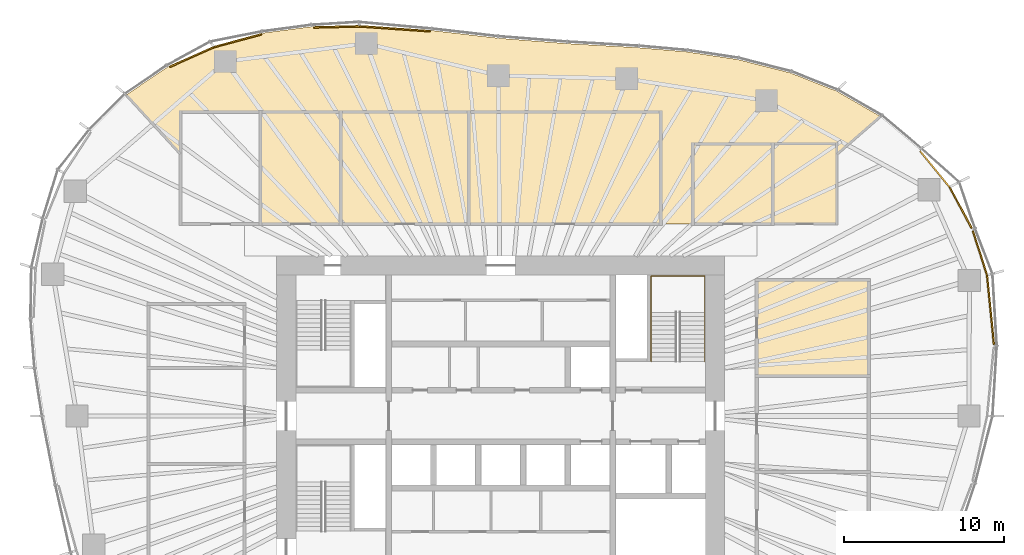
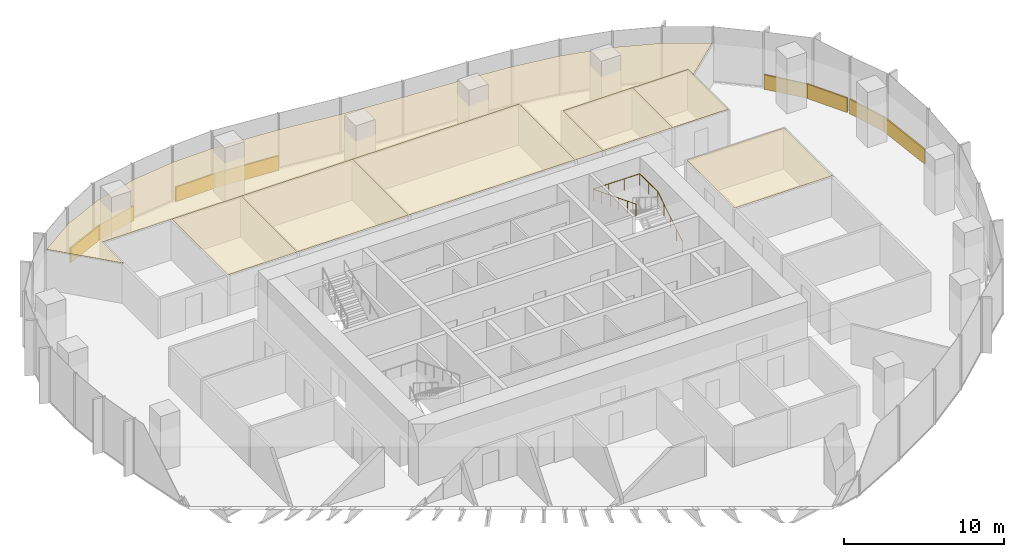
# One storey, part 18 of 18: 15 coverings, 1 railing.
"""IFC4 building model written with IfcOpenShell, lengths in metres."""

from ifc_helpers import new_model, si_unit, direction, frame, origin, origin_2d, place, context, subcontext, project, spatial, polyline, rectangle, circle, outline, extrude, material, layer, layer_set, type_object, element, save


model = new_model("IFC4")

# Units and contexts
model_context = context("Model", 3, precision=1e-05, world=origin(), true_north=direction((0.0, 1.0)))
body_context = subcontext(model_context, "Body", "Model", "MODEL_VIEW")
ifc_project = project(units=[si_unit("LENGTHUNIT", "METRE"), si_unit("AREAUNIT", "SQUARE_METRE"), si_unit("VOLUMEUNIT", "CUBIC_METRE"), si_unit("PLANEANGLEUNIT", "RADIAN"), si_unit("MASSUNIT", "GRAM", prefix="KILO")], contexts=[model_context])

# Site, building, storey
site_placement = place(None, origin())
site = spatial("IfcSite", under=ifc_project, at=site_placement, CompositionType="ELEMENT")
building_placement = place(site_placement, origin())
building = spatial("IfcBuilding", under=site, at=building_placement, Name="Ghaith Harvest Tower", CompositionType="ELEMENT")
storey_placement = place(building_placement, frame((0.0, 0.0, 180.60009765625)))
storey = spatial("IfcBuildingStorey", under=building, at=storey_placement, Name="L39", CompositionType="ELEMENT", Elevation=180.60009765625)

# Coverings
ifc_material_1 = material(Name="Mineral fibre ceiling tile", Category="gypsum")
ifc_layer_1 = layer(ifc_material_1, 0.02001953125)
ifc_layer_set_1 = layer_set([ifc_layer_1], Name="CEILING C1")
covering_type_1 = type_object("IfcCoveringType", Name="CEILING C1", PredefinedType="CEILING", material=ifc_layer_set_1)
covering_1_placement = place(storey_placement, frame((0.0, 0.0, 3.0)))
element("IfcCovering", 1, at=covering_1_placement, inside=storey, type_object=covering_type_1, Name="Ceiling L39-02", PredefinedType="CEILING", context=body_context, shape_type="SweptSolid", body=[
    extrude(outline(polyline([(-15.0, 12.0), (-10.0, 12.0), (-10.0, 19.0), (-15.0, 19.0), (-15.0, 12.0)])), origin(), (0.0, 0.0, 1.0), 0.02001953125),
])
covering_2_placement = place(storey_placement, frame((0.0, 0.0, 3.0)))
element("IfcCovering", 2, at=covering_2_placement, inside=storey, type_object=covering_type_1, Name="Ceiling L39-03", PredefinedType="CEILING", context=body_context, shape_type="SweptSolid", body=[
    extrude(outline(polyline([(-10.0, 12.0), (-2.0, 12.0), (-2.0, 19.0), (-10.0, 19.0), (-10.0, 12.0)])), origin(), (0.0, 0.0, 1.0), 0.02001953125),
])
covering_3_placement = place(storey_placement, frame((0.0, 0.0, 3.0)))
element("IfcCovering", 3, at=covering_3_placement, inside=storey, type_object=covering_type_1, Name="Ceiling L39-04", PredefinedType="CEILING", context=body_context, shape_type="SweptSolid", body=[
    extrude(outline(polyline([(-2.0, 12.0), (10.0, 12.0), (10.0, 19.0), (-2.0, 19.0), (-2.0, 12.0)])), origin(), (0.0, 0.0, 1.0), 0.02001953125),
])
covering_4_placement = place(storey_placement, frame((0.0, 0.0, 3.0)))
element("IfcCovering", 4, at=covering_4_placement, inside=storey, type_object=covering_type_1, Name="Ceiling L39-07", PredefinedType="CEILING", context=body_context, shape_type="SweptSolid", body=[
    extrude(outline(polyline([(16.0, 2.5), (23.0, 2.5), (23.0, 8.5), (16.0, 8.5), (16.0, 2.5)])), origin(), (0.0, 0.0, 1.0), 0.02001953125),
])
covering_5_placement = place(storey_placement, frame((0.0, 0.0, 3.0)))
element("IfcCovering", 5, at=covering_5_placement, inside=storey, type_object=covering_type_1, Name="Ceiling L39-17", PredefinedType="CEILING", context=body_context, shape_type="SweptSolid", body=[
    extrude(outline(polyline([(12.0, 12.0), (17.0, 12.0), (17.0, 17.0), (12.0, 17.0), (12.0, 12.0)])), origin(), (0.0, 0.0, 1.0), 0.02001953125),
])
covering_6_placement = place(storey_placement, frame((0.0, 0.0, 3.0)))
element("IfcCovering", 6, at=covering_6_placement, inside=storey, type_object=covering_type_1, Name="Ceiling L39-18", PredefinedType="CEILING", context=body_context, shape_type="SweptSolid", body=[
    extrude(outline(polyline([(17.0, 12.0), (21.0, 12.0), (21.0, 17.0), (17.0, 17.0), (17.0, 12.0)])), origin(), (0.0, 0.0, 1.0), 0.02001953125),
])
covering_7_placement = place(storey_placement, frame((0.0, 0.0, 3.0)))
element("IfcCovering", 7, at=covering_7_placement, inside=storey, type_object=covering_type_1, Name="Ceiling L39-N1", PredefinedType="CEILING", context=body_context, shape_type="SweptSolid", body=[
    extrude(outline(polyline([(-20.79248046875, 21.82470703125), (-17.938232421875, 23.097412109375), (-14.860595703125, 23.927978515625), (-11.788818359375, 24.331787109375), (-8.814208984375, 24.404541015625), (-4.302001953125, 24.089111328125), (-0.16162109375, 23.609619140625), (4.125732421875, 23.272705078125), (8.604736328125, 23.017333984375), (11.617919921875, 22.757080078125), (14.79833984375, 22.27978515625), (18.0849609375, 21.4462890625), (20.97998046875, 20.3056640625), (23.7275390625, 18.718017578125), (21.0, 16.3466796875), (21.0, 17.0), (12.0, 17.0), (12.0, 12.0), (10.0, 12.0), (10.0, 19.0), (-20.0, 19.0), (-20.0, 16.3583984375), (-23.398193359375, 20.06103515625), (-20.79248046875, 21.82470703125)])), origin(), (0.0, 0.0, 1.0), 0.02001953125),
])

# Railing
ifc_material_2 = material(Name="Steel, black powder-coated", Category="steel")
railing_type = type_object("IfcRailingType", Name="HANDRAIL HR1", PredefinedType="HANDRAIL", material=ifc_material_2)
railing_placement = place(storey_placement, frame((12.75, 3.39990234375, 0.1748046875)))
element("IfcRailing", 8, at=railing_placement, inside=storey, type_object=railing_type, Name="Handrail HR1 stair ST2 L39 wall side", PredefinedType="HANDRAIL", context=body_context, shape_type="SweptSolid", body=[
    extrude(circle(Radius=0.02392578125, at=origin_2d()), frame((0.0, 0.0, 0.8759765625), z_axis=(0.0, 0.847998304005, 0.529998940003), x_axis=(-1.0, 0.0, 0.0)), (0.0, 0.0, 1.0), 3.632080078125),
    extrude(circle(Radius=0.02392578125, at=origin_2d()), frame((0.0, 3.080078125, 2.80078125), z_axis=(0.0, 1.0, 0.0), x_axis=(-1.0, 0.0, 0.0)), (0.0, 0.0, 1.0), 2.27001953125),
    extrude(circle(Radius=0.02392578125, at=origin_2d()), frame((0.0, 5.35009765625, 2.80078125), z_axis=(-1.0, 0.0, 0.0), x_axis=(0.0, -1.0, 0.0)), (0.0, 0.0, 1.0), 3.35009765625),
    extrude(circle(Radius=0.02392578125, at=origin_2d()), frame((-3.35009765625, 5.35009765625, 2.80078125), z_axis=(0.0, -0.930853684876, 0.365392141887), x_axis=(1.0, 0.0, 0.0)), (0.0, 0.0, 1.0), 5.74755859375),
    extrude(circle(Radius=0.02099609375, at=origin_2d()), origin(), (0.0, 0.0, 1.0), 0.851806640625),
    extrude(circle(Radius=0.02099609375, at=origin_2d()), frame((0.0, 0.77001953125, 0.481201171875)), (0.0, 0.0, 1.0), 0.851806640625),
    extrude(circle(Radius=0.02099609375, at=origin_2d()), frame((0.0, 1.5400390625, 0.96240234375)), (0.0, 0.0, 1.0), 0.851806640625),
    extrude(circle(Radius=0.02099609375, at=origin_2d()), frame((0.0, 2.31005859375, 1.44384765625)), (0.0, 0.0, 1.0), 0.851806640625),
    extrude(circle(Radius=0.02099609375, at=origin_2d()), frame((0.0, 3.080078125, 1.925048828125)), (0.0, 0.0, 1.0), 0.851806640625),
    extrude(circle(Radius=0.02099609375, at=origin_2d()), frame((0.0, 4.215087890625, 1.925048828125)), (0.0, 0.0, 1.0), 0.851806640625),
    extrude(circle(Radius=0.02099609375, at=origin_2d()), frame((0.0, 5.35009765625, 1.925048828125)), (0.0, 0.0, 1.0), 0.851806640625),
    extrude(circle(Radius=0.02099609375, at=origin_2d()), frame((-1.11669921875, 5.35009765625, 1.925048828125)), (0.0, 0.0, 1.0), 0.851806640625),
    extrude(circle(Radius=0.02099609375, at=origin_2d()), frame((-2.2333984375, 5.35009765625, 1.925048828125)), (0.0, 0.0, 1.0), 0.851806640625),
    extrude(circle(Radius=0.02099609375, at=origin_2d()), frame((-3.35009765625, 5.35009765625, 1.925048828125)), (0.0, 0.0, 1.0), 0.851806640625),
    extrude(circle(Radius=0.02099609375, at=origin_2d()), frame((-3.35009765625, 4.280029296875, 2.344970703125)), (0.0, 0.0, 1.0), 0.851806640625),
    extrude(circle(Radius=0.02099609375, at=origin_2d()), frame((-3.35009765625, 3.2099609375, 2.76513671875)), (0.0, 0.0, 1.0), 0.851806640625),
    extrude(circle(Radius=0.02099609375, at=origin_2d()), frame((-3.35009765625, 2.14013671875, 3.18505859375)), (0.0, 0.0, 1.0), 0.851806640625),
    extrude(circle(Radius=0.02099609375, at=origin_2d()), frame((-3.35009765625, 1.070068359375, 3.605224609375)), (0.0, 0.0, 1.0), 0.851806640625),
    extrude(circle(Radius=0.02099609375, at=origin_2d()), frame((-3.35009765625, 0.0, 4.025146484375)), (0.0, 0.0, 1.0), 0.851806640625),
])

# Coverings
ifc_material_3 = material(Name="Insulated aluminium spandrel panel on steel framing", Category="steel")
ifc_layer_2 = layer(ifc_material_3, 0.10009765625)
ifc_layer_set_2 = layer_set([ifc_layer_2], Name="SLAB EDGE UPSTAND 1100x100")
covering_type_2 = type_object("IfcCoveringType", Name="SLAB EDGE UPSTAND 1100x100", PredefinedType="CLADDING", material=ifc_layer_set_2)
covering_8_placement = place(storey_placement, frame((30.604736328125, 6.630126953125, -0.000244140625), z_axis=(0.0, 0.0, 1.0), x_axis=(-0.099131765681, 0.995074315332, 0.0)))
element("IfcCovering", 9, at=covering_8_placement, inside=storey, type_object=covering_type_2, Name="Slab edge upstand 2 bay 01 L39", PredefinedType="CLADDING", context=body_context, shape_type="SweptSolid", body=[
    extrude(rectangle(XDim=4.346435546875, YDim=0.10009765625, at=origin_2d()), origin(), (0.0, 0.0, 1.0), 1.10009765625),
])
covering_9_placement = place(storey_placement, frame((29.948486328125, 10.171875, -0.000244140625), z_axis=(0.0, 0.0, 1.0), x_axis=(-0.303716894855, 0.952762324916, 0.0)))
element("IfcCovering", 10, at=covering_9_placement, inside=storey, type_object=covering_type_2, Name="Slab edge upstand 1 bay 02 L39", PredefinedType="CLADDING", context=body_context, shape_type="SweptSolid", body=[
    extrude(rectangle(XDim=2.916748046875, YDim=0.10009765625, at=origin_2d()), origin(), (0.0, 0.0, 1.0), 1.10009765625),
])
for number, where, z_axis, x_axis, name in (
    (11, (28.738037109375, 13.018798828125, -0.000244140625), (0.0, 0.0, 1.0), (-0.475408661811, 0.87976508471, 0.0), "Slab edge upstand 2 bay 02 L39"),
    (12, (27.127197265625, 15.4228515625, -0.000244140625), (0.0, 0.0, 1.0), (-0.632969558548, 0.774176683937, 0.0), "Slab edge upstand 3 bay 02 L39"),
):
    element("IfcCovering", number, at=place(storey_placement, frame(where, z_axis=z_axis, x_axis=x_axis)), inside=storey, type_object=covering_type_2, Name=name, PredefinedType="CLADDING", context=body_context, shape_type="SweptSolid", body=[
        extrude(rectangle(XDim=2.91650390625, YDim=0.10009765625, at=origin_2d()), origin(), (0.0, 0.0, 1.0), 1.10009765625),
    ])
covering_10_placement = place(storey_placement, frame((-6.611572265625, 24.200439453125, -0.000244140625), z_axis=(0.0, 0.0, 1.0), x_axis=(-0.997566199698, 0.069725728542, 0.0)))
element("IfcCovering", 13, at=covering_10_placement, inside=storey, type_object=covering_type_2, Name="Slab edge upstand 2 bay 06 L39", PredefinedType="CLADDING", context=body_context, shape_type="SweptSolid", body=[
    extrude(rectangle(XDim=4.42333984375, YDim=0.10009765625, at=origin_2d()), origin(), (0.0, 0.0, 1.0), 1.10009765625),
])
covering_11_placement = place(storey_placement, frame((-10.25048828125, 24.3193359375, -0.000244140625), z_axis=(0.0, 0.0, 1.0), x_axis=(-0.999700846757, -0.024458474865, 0.0)))
element("IfcCovering", 14, at=covering_11_placement, inside=storey, type_object=covering_type_2, Name="Slab edge upstand 1 bay 07 L39", PredefinedType="CLADDING", context=body_context, shape_type="SweptSolid", body=[
    extrude(rectangle(XDim=2.87548828125, YDim=0.10009765625, at=origin_2d()), origin(), (0.0, 0.0, 1.0), 1.10009765625),
])
covering_12_placement = place(storey_placement, frame((-16.4345703125, 23.451416015625, -0.000244140625), z_axis=(0.0, 0.0, 1.0), x_axis=(-0.965455035926, -0.260569709685, 0.0)))
element("IfcCovering", 15, at=covering_12_placement, inside=storey, type_object=covering_type_2, Name="Slab edge upstand 3 bay 07 L39", PredefinedType="CLADDING", context=body_context, shape_type="SweptSolid", body=[
    extrude(rectangle(XDim=3.087890625, YDim=0.10009765625, at=origin_2d()), origin(), (0.0, 0.0, 1.0), 1.10009765625),
])
covering_13_placement = place(storey_placement, frame((-19.29931640625, 22.435791015625, -0.000244140625), z_axis=(0.0, 0.0, 1.0), x_axis=(-0.913334621001, -0.40720986, 0.0)))
element("IfcCovering", 16, at=covering_13_placement, inside=storey, type_object=covering_type_2, Name="Slab edge upstand 1 bay 08 L39", PredefinedType="CLADDING", context=body_context, shape_type="SweptSolid", body=[
    extrude(rectangle(XDim=3.025146484375, YDim=0.10009765625, at=origin_2d()), origin(), (0.0, 0.0, 1.0), 1.10009765625),
])

save(model, "model.ifc")
